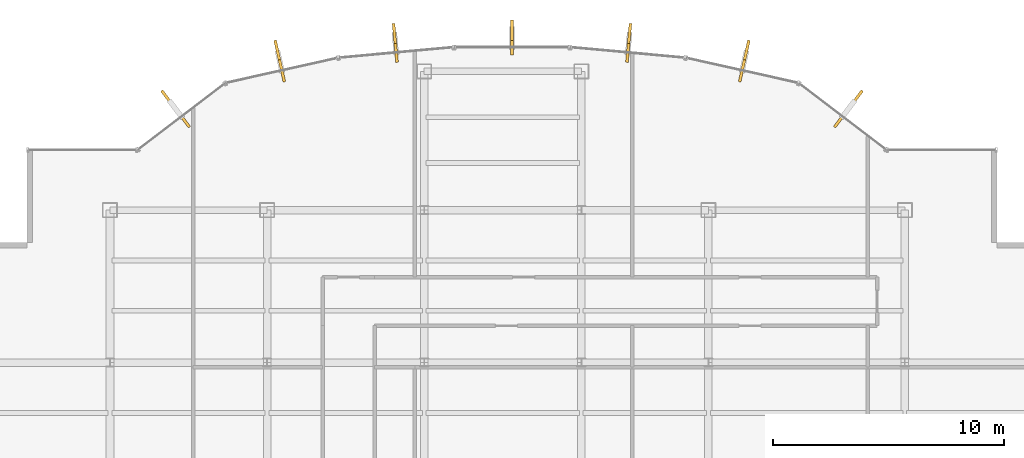
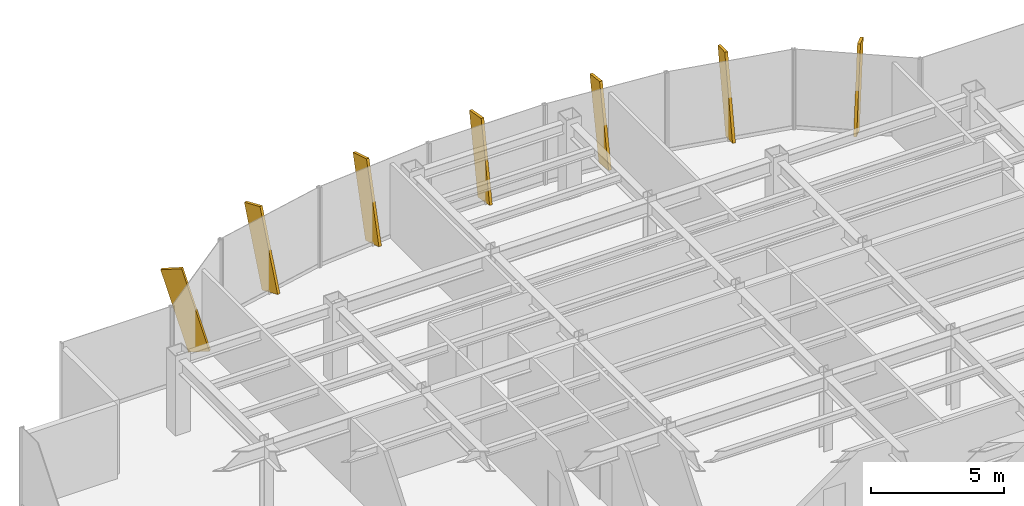
# One storey, part 24 of 25: 7 shading devices.
"""IFC4 building model written with IfcOpenShell, lengths in metres."""

from ifc_helpers import new_model, si_unit, derived_unit, direction, frame, origin, origin_2d, place, context, subcontext, project, spatial, rectangle, extrude, source, transform, mapped, material, type_object, element, save


model = new_model("IFC4")

# Units and contexts
model_context = context("Model", 3, precision=1e-05, world=origin(), true_north=direction((0.0, 1.0)))
body_context = subcontext(model_context, "Body", "Model", "MODEL_VIEW")
ifc_project = project(units=[si_unit("LENGTHUNIT", "METRE"), si_unit("AREAUNIT", "SQUARE_METRE"), si_unit("VOLUMEUNIT", "CUBIC_METRE"), si_unit("PLANEANGLEUNIT", "RADIAN"), si_unit("MASSUNIT", "GRAM", prefix="KILO"), derived_unit("THERMALTRANSMITTANCEUNIT", [(si_unit("POWERUNIT", "WATT"), 1), (si_unit("LENGTHUNIT", "METRE"), -2), (si_unit("THERMODYNAMICTEMPERATUREUNIT", "KELVIN"), -1)])], contexts=[model_context])

# Site, building, storey
site_placement = place(None, origin())
site = spatial("IfcSite", under=ifc_project, at=site_placement, CompositionType="ELEMENT")
building_placement = place(site_placement, origin())
building = spatial("IfcBuilding", under=site, at=building_placement, Name="Skarnbrae Concourse Arena and Tower", CompositionType="ELEMENT")
storey_placement = place(building_placement, frame((0.0, 0.0, 144.25)))
storey = spatial("IfcBuildingStorey", under=building, at=storey_placement, Name="L36", CompositionType="ELEMENT", Elevation=144.25)

# Shading devices
ifc_material = material(Name="Bronze anodised aluminium 6063-T6", Category="aluminium")
shading_device_type = type_object("IfcShadingDeviceType", Name="SHD-BRONZE-FIN-900", PredefinedType="USERDEFINED", material=ifc_material)
shared_shape = source(origin(), body_context, "Body", "SweptSolid", [
    extrude(rectangle(XDim=0.1201171875, YDim=0.89990234375, at=origin_2d()), origin(), (0.0, 0.0, 1.0), 3.64990234375),
])
for number, where, z_axis, x_axis, name in (
    (1, (39.21728515625, 38.331787109375, 0.08935546875), (0.187571567649, 0.245786538166, 0.95100256817), (0.794954941871, -0.606668476513, 0.0), "L36 Outward-leaning bronze shading fin 08"),
    (2, (34.945556640625, 40.371337890625, 0.067138671875), (0.05856682236, 0.262120346288, 0.963256378842), (0.975935794812, -0.218058075762, 0.0), "L36 Outward-leaning bronze shading fin 09"),
    (3, (30.013427734375, 41.231689453125, 0.04541015625), (0.020252937378, 0.220791747999, 0.975110671946), (0.99581928833, -0.091345196863, 0.0), "L36 Outward-leaning bronze shading fin 10"),
    (4, (25.0, 41.548583984375, 0.02783203125), (0.0, 0.173648177667, 0.984807753012), (1.0, 0.0, 0.0), "L36 Outward-leaning bronze shading fin 11"),
    (5, (19.986572265625, 41.231689453125, 0.04541015625), (-0.020252937378, 0.220791747999, 0.975110671946), (0.99581928833, 0.091345196863, 0.0), "L36 Outward-leaning bronze shading fin 12"),
    (6, (15.054443359375, 40.371337890625, 0.067138671875), (-0.05856682236, 0.262120346288, 0.963256378842), (0.975935794812, 0.218058075762, 0.0), "L36 Outward-leaning bronze shading fin 13"),
    (7, (10.78271484375, 38.331787109375, 0.08935546875), (-0.187571567649, 0.245786538166, 0.95100256817), (0.794954941871, 0.606668476513, 0.0), "L36 Outward-leaning bronze shading fin 14"),
):
    element("IfcShadingDevice", number, at=place(storey_placement, frame(where, z_axis=z_axis, x_axis=x_axis)), inside=storey, type_object=shading_device_type, Name=name, ObjectType="FIN", PredefinedType="USERDEFINED", context=body_context, shape_type="MappedRepresentation", body=[
        mapped(shared_shape, transform((0.0, 0.0, 0.0))),
    ])

save(model, "model.ifc")
